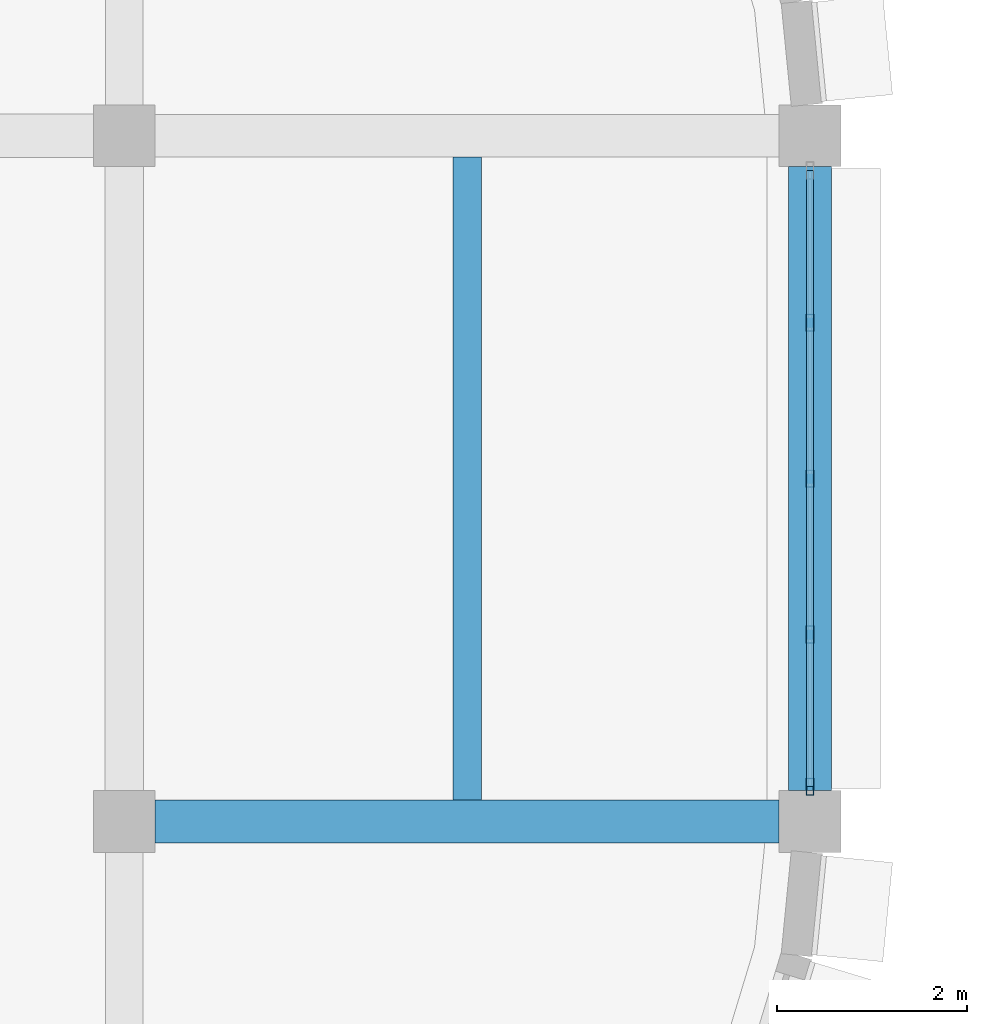
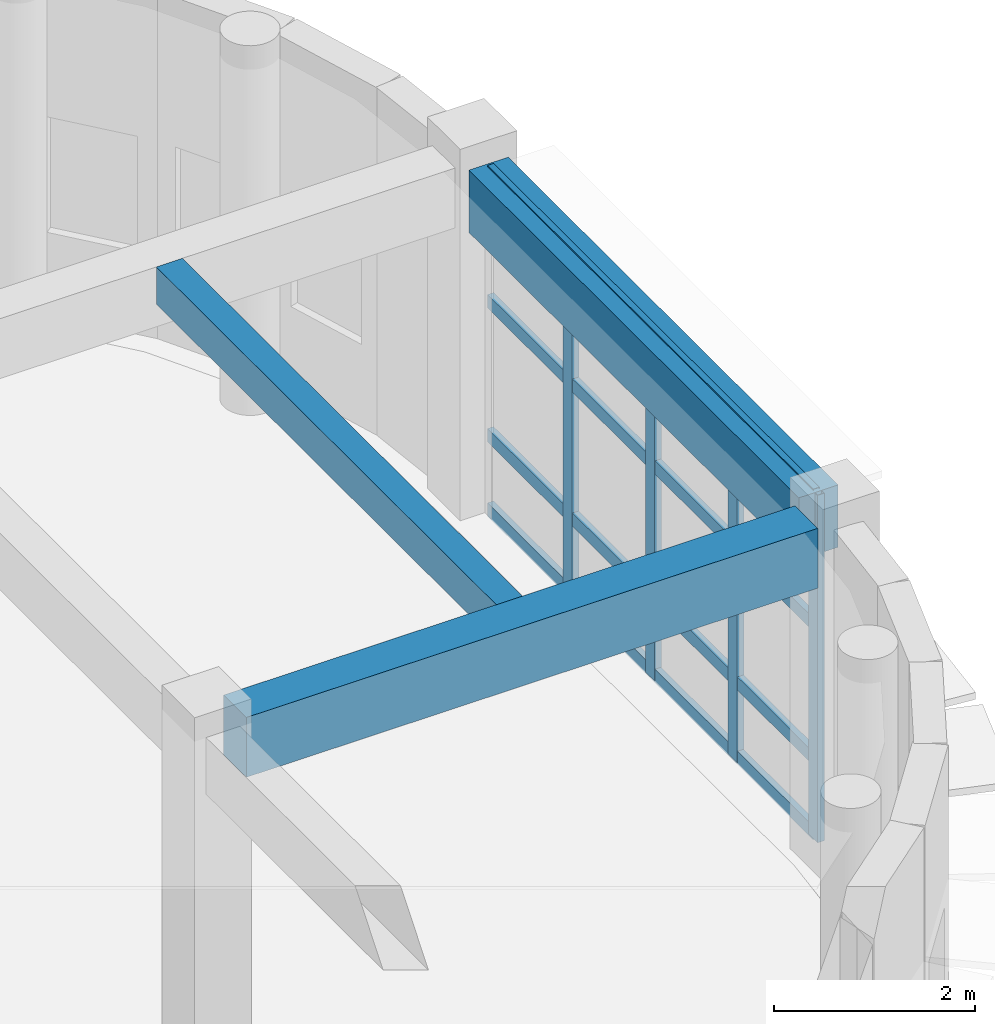
# One storey, part 40 of 171: 8 members, 3 beams, 1 element without a shape of its own.
"""IFC4 building model written with IfcOpenShell, lengths in metres."""

import ifcopenshell
import ifcopenshell.guid

model = None  # the IFC model being written
_history = None  # IfcOwnerHistory: only IFC2X3 demands one
_inside = {}  # id of a spatial element -> (the spatial element, [elements in it])
_under = {}  # id of a project, library or spatial element -> (it, [spatial elements below it])
_declared = {}  # id of a project -> (the project, [libraries it declares])
_typed = {}  # id of a type object -> (the type object, [elements of that type])
_made_of = {}  # id of a material, layer set ... -> (it, [elements and type objects made of it])


def new_model(schema):
    """Start an empty IFC model of exactly this schema.

    Asked for "IFC4X3", IfcOpenShell would pick the latest addendum, in which some entities
    have other attributes; the version numbers below select the first issue.
    IFC2X3 requires an IfcOwnerHistory on every rooted entity: one is made here for all.
    """
    global model, _history
    if schema == "IFC4X3":
        model = ifcopenshell.file(schema_version=(4, 3, 0, 0))
    else:
        model = ifcopenshell.file(schema=schema)
    _inside.clear()
    _under.clear()
    _declared.clear()
    _typed.clear()
    _made_of.clear()
    _history = None
    if model.schema == "IFC2X3":
        org = make("IfcOrganization", Name="unknown")
        user = make(
            "IfcPersonAndOrganization",
            ThePerson=make("IfcPerson", FamilyName="unknown"),
            TheOrganization=org,
        )
        app = make(
            "IfcApplication",
            ApplicationDeveloper=org,
            Version="unknown",
            ApplicationFullName="unknown",
            ApplicationIdentifier="unknown",
        )
        _history = make(
            "IfcOwnerHistory",
            OwningUser=user,
            OwningApplication=app,
            ChangeAction="ADDED",
            CreationDate=0,
        )
    return model


def make(cls, **values):
    """One entity of the class cls with the attributes given. An attribute that is None is left unset."""
    return model.create_entity(
        cls, **{name: value for name, value in values.items() if value is not None}
    )


def rooted(cls, **values):
    """An entity with a GlobalId (a new one), such as an element, a storey or a relation."""
    return make(cls, GlobalId=ifcopenshell.guid.new(), OwnerHistory=_history, **values)


def si_unit(unit_type, name, prefix=None):
    """IfcSIUnit, for example si_unit("LENGTHUNIT", "METRE", prefix="MILLI")."""
    return make("IfcSIUnit", UnitType=unit_type, Prefix=prefix, Name=name)


def assignment(units):
    """IfcUnitAssignment: the units of a project."""
    return None if units is None else make("IfcUnitAssignment", Units=units)


def point(xyz):
    """IfcCartesianPoint."""
    return None if xyz is None else make("IfcCartesianPoint", Coordinates=xyz)


def direction(xyz):
    """IfcDirection."""
    return None if xyz is None else make("IfcDirection", DirectionRatios=xyz)


def frame(location, z_axis=None, x_axis=None):
    """IfcAxis2Placement3D, a coordinate frame: its origin and axes. An axis left out is left unset."""
    return make(
        "IfcAxis2Placement3D",
        Location=point(location),
        Axis=direction(z_axis),
        RefDirection=direction(x_axis),
    )


def frame_2d(location, x_axis=None):
    """IfcAxis2Placement2D, a coordinate frame in the plane: its origin and x axis."""
    return make(
        "IfcAxis2Placement2D", Location=point(location), RefDirection=direction(x_axis)
    )


def origin():
    """The frame at (0, 0, 0) with its axes left unset."""
    return frame((0.0, 0.0, 0.0))


def origin_2d():
    """The frame at (0, 0) in the plane with its x axis left unset."""
    return frame_2d((0.0, 0.0))


def place(relative_to, where):
    """IfcLocalPlacement: puts the frame where relative to a parent placement (None: the world)."""
    return make(
        "IfcLocalPlacement", PlacementRelTo=relative_to, RelativePlacement=where
    )


def context(
    kind, dimensions, precision=None, world=None, true_north=None, identifier=None
):
    """IfcGeometricRepresentationContext, for example the 3D "Model" context."""
    return make(
        "IfcGeometricRepresentationContext",
        ContextIdentifier=identifier,
        ContextType=kind,
        CoordinateSpaceDimension=dimensions,
        Precision=precision,
        WorldCoordinateSystem=world,
        TrueNorth=true_north,
    )


def subcontext(parent, identifier, kind, view, scale=None):
    """IfcGeometricRepresentationSubContext, for example "Body" below "Model"."""
    return make(
        "IfcGeometricRepresentationSubContext",
        ContextIdentifier=identifier,
        ContextType=kind,
        ParentContext=parent,
        TargetScale=scale,
        TargetView=view,
    )


def project(units=None, contexts=None):
    """IfcProject with its units and contexts."""
    return rooted(
        "IfcProject",
        Name="project",
        RepresentationContexts=contexts,
        UnitsInContext=assignment(units),
    )


def spatial(cls, under=None, at=None, **own):
    """A site, building, storey or space (cls), placed at a placement, below another one or the project."""
    s = rooted(cls, ObjectPlacement=at, **own)
    if under is not None:
        _under.setdefault(under.id(), (under, []))[1].append(s)
    return s


def profile(cls, at=None, kind="AREA", **sizes):
    """A parametric profile (cls). Its sizes go by their IFC names, for example OverallWidth=200.0."""
    return make(cls, ProfileType=kind, Position=at, **sizes)


def rectangle(**sizes):
    """IfcRectangleProfileDef."""
    return profile("IfcRectangleProfileDef", **sizes)


def hollow_rectangle(**sizes):
    """IfcRectangleHollowProfileDef."""
    return profile("IfcRectangleHollowProfileDef", **sizes)


def extrude(swept, where, along, depth):
    """IfcExtrudedAreaSolid: the profile swept, set in the frame where, extruded along a direction by depth."""
    return make(
        "IfcExtrudedAreaSolid",
        SweptArea=swept,
        Position=where,
        ExtrudedDirection=direction(along),
        Depth=depth,
    )


def shape(context_of_items, identifier, shape_type, items):
    """IfcShapeRepresentation: the items that make up one representation, for example the "Body"."""
    return make(
        "IfcShapeRepresentation",
        ContextOfItems=context_of_items,
        RepresentationIdentifier=identifier,
        RepresentationType=shape_type,
        Items=items,
    )


def material(Name=None, Category=None):
    """IfcMaterial."""
    return make("IfcMaterial", Name=Name, Category=Category)


def material_profile(
    of_material, cross_section, Name=None, Category=None, Priority=None
):
    """IfcMaterialProfile: a cross section and its material."""
    return make(
        "IfcMaterialProfile",
        Name=Name,
        Material=of_material,
        Profile=cross_section,
        Priority=Priority,
        Category=Category,
    )


def profile_set(profiles, Name=None, composite=None):
    """IfcMaterialProfileSet."""
    return make(
        "IfcMaterialProfileSet",
        Name=Name,
        MaterialProfiles=profiles,
        CompositeProfile=composite,
    )


def made_of(thing, what):
    """Note that an element or type object is made of a material, layer set ...; save() writes the relation."""
    if what is not None:
        _made_of.setdefault(what.id(), (what, []))[1].append(thing)
    return thing


def type_object(cls, material=None, **own):
    """A type object (cls), such as IfcWallType, which elements share."""
    return made_of(rooted(cls, **own), material)


def element(
    cls,
    number,
    at=None,
    inside=None,
    cuts=None,
    type_object=None,
    material=None,
    context=None,
    identifier="Body",
    shape_type=None,
    held_by="IfcProductDefinitionShape",
    body=None,
    shapes=None,
    **own,
):
    """One element of the class cls, such as IfcWall. Its Tag is "e" and its number.

    at: its placement. inside: the storey or other place that contains it. cuts: it is an
    opening in that element (IfcRelVoidsElement). A single representation is given by context,
    identifier, shape_type and body (its items); several are given by shapes. held_by: the class
    of the entity that holds the representations. save() writes the other relations.
    """
    e = rooted(cls, Tag="e%d" % number, ObjectPlacement=at, **own)
    if body is not None:
        shapes = [shape(context, identifier, shape_type, body)]
    if shapes is not None:
        e.Representation = make(held_by, Representations=shapes)
    if inside is not None:
        _inside.setdefault(inside.id(), (inside, []))[1].append(e)
    if cuts is not None:
        rooted(
            "IfcRelVoidsElement", RelatingBuildingElement=cuts, RelatedOpeningElement=e
        )
    if type_object is not None:
        _typed.setdefault(type_object.id(), (type_object, []))[1].append(e)
    return made_of(e, material)


def aggregate(whole, parts):
    """IfcRelAggregates: a whole, such as a stair, and the parts it consists of."""
    return rooted("IfcRelAggregates", RelatingObject=whole, RelatedObjects=parts)


def save(model, path):
    """Write the relations noted so far, then the file.

    IfcRelAggregates (storeys below a building ...), IfcRelContainedInSpatialStructure (elements
    in a storey), IfcRelDefinesByType, IfcRelAssociatesMaterial and IfcRelDeclares: one each for
    every whole, place, type object, material and project.
    """
    for whole, parts in _under.values():
        aggregate(whole, parts)
    for where, things in _inside.values():
        rooted(
            "IfcRelContainedInSpatialStructure",
            RelatedElements=things,
            RelatingStructure=where,
        )
    for kind, things in _typed.values():
        rooted("IfcRelDefinesByType", RelatedObjects=things, RelatingType=kind)
    for what, things in _made_of.values():
        rooted("IfcRelAssociatesMaterial", RelatedObjects=things, RelatingMaterial=what)
    for by, libraries in _declared.values():
        rooted("IfcRelDeclares", RelatingContext=by, RelatedDefinitions=libraries)
    model.write(path)


model = new_model("IFC4")

# Units and contexts
model_context = context("Model", 3, precision=1e-05, world=origin(), true_north=direction((0.0, 1.0)))
body_context = subcontext(model_context, "Body", "Model", "MODEL_VIEW")
ifc_project = project(units=[si_unit("LENGTHUNIT", "METRE"), si_unit("AREAUNIT", "SQUARE_METRE"), si_unit("VOLUMEUNIT", "CUBIC_METRE"), si_unit("PLANEANGLEUNIT", "RADIAN"), si_unit("MASSUNIT", "GRAM", prefix="KILO")], contexts=[model_context])

# Site, building, storey
site_placement = place(None, origin())
site = spatial("IfcSite", under=ifc_project, at=site_placement, CompositionType="ELEMENT")
building_placement = place(site_placement, origin())
building = spatial("IfcBuilding", under=site, at=building_placement, Name="Thalmaran Polytechnic", CompositionType="ELEMENT")
storey_placement = place(building_placement, frame((0.0, 0.0, 5.39990234375)))
storey = spatial("IfcBuildingStorey", under=building, at=storey_placement, Name="L01", CompositionType="ELEMENT", Elevation=5.39990234375)

# Beams
ifc_material_1 = material(Name="Concrete C40/50", Category="concrete")
ifc_material_profile_1 = material_profile(ifc_material_1, rectangle(XDim=0.449951171875, YDim=0.72509765625, at=origin_2d()), Name="RC 450x725")
ifc_profile_set_1 = profile_set([ifc_material_profile_1], Name="Concrete C40/50")
beam_type_1 = type_object("IfcBeamType", Name="BM-RC04", PredefinedType="BEAM", material=ifc_profile_set_1)
beam_1_placement = place(storey_placement, frame((86.72509765625, 57.60009765625, 3.8525390625), z_axis=(1.0, 0.0, 0.0), x_axis=(0.0, 1.0, 0.0)))
element("IfcBeam", 1, at=beam_1_placement, inside=storey, type_object=beam_type_1, Name="Grid Beam B04 L01 X(12,8)", PredefinedType="BEAM", context=body_context, shape_type="SweptSolid", body=[
    extrude(rectangle(XDim=0.449951171875, YDim=0.72509765625, at=origin_2d()), origin(), (0.0, 0.0, 1.0), 6.5498046875),
])
ifc_material_profile_2 = material_profile(ifc_material_1, rectangle(XDim=0.300048828125, YDim=0.449951171875, at=origin_2d()), Name="RC 300x450")
ifc_profile_set_2 = profile_set([ifc_material_profile_2], Name="Concrete C40/50")
beam_type_2 = type_object("IfcBeamType", Name="BM-RC12", PredefinedType="JOIST", material=ifc_profile_set_2)
beam_2_placement = place(storey_placement, frame((90.0, 57.824951171875, 3.989990234375), z_axis=(0.0, 1.0, 0.0), x_axis=(-1.0, 0.0, 0.0)))
element("IfcBeam", 2, at=beam_2_placement, inside=storey, type_object=beam_type_2, Name="Secondary Floor Rib RB02 L01 (12,8)", PredefinedType="JOIST", context=body_context, shape_type="SweptSolid", body=[
    extrude(rectangle(XDim=0.300048828125, YDim=0.449951171875, at=origin_2d()), origin(), (0.0, 0.0, 1.0), 6.75),
])
ifc_material_profile_3 = material_profile(ifc_material_1, rectangle(XDim=0.449951171875, YDim=0.7548828125, at=origin_2d()), Name="RC 450x755")
ifc_profile_set_3 = profile_set([ifc_material_profile_3], Name="Concrete C40/50")
beam_type_3 = type_object("IfcBeamType", Name="BM-SP02", PredefinedType="SPANDREL", material=ifc_profile_set_3)
beam_3_placement = place(storey_placement, frame((93.60009765625, 57.925048828125, 3.837646484375), z_axis=(0.0, 1.0, 0.0), x_axis=(-1.0, 0.0, 0.0)))
element("IfcBeam", 3, at=beam_3_placement, inside=storey, type_object=beam_type_3, Name="Grid Beam SP02 L01 Y(13,8)", PredefinedType="SPANDREL", context=body_context, shape_type="SweptSolid", body=[
    extrude(rectangle(XDim=0.449951171875, YDim=0.7548828125, at=origin_2d()), origin(), (0.0, 0.0, 1.0), 6.550048828125),
])

# Curtain wall, members
ifc_material_2 = material(Name="Aluminium 6063-T6", Category="aluminium")
curtain_wall_type = type_object("IfcCurtainWallType", Name="CW-SC01", PredefinedType="USERDEFINED", material=ifc_material_2)
curtain_wall_placement = place(storey_placement, origin())
curtain_wall = element("IfcCurtainWall", 4, at=curtain_wall_placement, inside=storey, type_object=curtain_wall_type, Name="Curtain Wall CW-L01-148", ObjectType="STICK CURTAIN WALL", PredefinedType="USERDEFINED")
ifc_material_profile_4 = material_profile(ifc_material_2, hollow_rectangle(XDim=0.080078125, YDim=0.179931640625, WallThickness=0.0048828125, at=origin_2d()), Name="RHS 180x80x5.0")
ifc_profile_set_4 = profile_set([ifc_material_profile_4], Name="Aluminium 6063-T6")
member_type_1 = type_object("IfcMemberType", Name="CW-MUL1", PredefinedType="MULLION", material=ifc_profile_set_4)
member_1_placement = place(storey_placement, frame((93.60009765625, 62.83740234375, 0.0), z_axis=(0.0, 0.0, 1.0), x_axis=(1.0, 0.0, 0.0)))
member_1 = element("IfcMember", 5, at=member_1_placement, type_object=member_type_1, Name="CW-L01-148 Mullion 2", PredefinedType="MULLION", context=body_context, shape_type="SweptSolid", body=[
    extrude(hollow_rectangle(XDim=0.080078125, YDim=0.179931640625, WallThickness=0.0048828125, at=origin_2d()), origin(), (0.0, 0.0, 1.0), 4.210205078125),
])
member_2_placement = place(storey_placement, frame((93.60009765625, 61.199951171875, 0.0), z_axis=(0.0, 0.0, 1.0), x_axis=(1.0, 0.0, 0.0)))
member_2 = element("IfcMember", 6, at=member_2_placement, type_object=member_type_1, Name="CW-L01-148 Mullion 3", PredefinedType="MULLION", context=body_context, shape_type="SweptSolid", body=[
    extrude(hollow_rectangle(XDim=0.080078125, YDim=0.179931640625, WallThickness=0.0048828125, at=origin_2d()), origin(), (0.0, 0.0, 1.0), 4.210205078125),
])
member_3_placement = place(storey_placement, frame((93.60009765625, 59.5625, 0.0), z_axis=(0.0, 0.0, 1.0), x_axis=(1.0, 0.0, 0.0)))
member_3 = element("IfcMember", 7, at=member_3_placement, type_object=member_type_1, Name="CW-L01-148 Mullion 4", PredefinedType="MULLION", context=body_context, shape_type="SweptSolid", body=[
    extrude(hollow_rectangle(XDim=0.080078125, YDim=0.179931640625, WallThickness=0.0048828125, at=origin_2d()), origin(), (0.0, 0.0, 1.0), 4.210205078125),
])
member_4_placement = place(storey_placement, frame((93.60009765625, 57.965087890625, 0.0), z_axis=(0.0, 0.0, 1.0), x_axis=(1.0, 0.0, 0.0)))
member_4 = element("IfcMember", 8, at=member_4_placement, type_object=member_type_1, Name="CW-L01-148 Mullion 5", PredefinedType="MULLION", context=body_context, shape_type="SweptSolid", body=[
    extrude(hollow_rectangle(XDim=0.080078125, YDim=0.179931640625, WallThickness=0.0048828125, at=origin_2d()), origin(), (0.0, 0.0, 1.0), 4.210205078125),
])
ifc_material_profile_5 = material_profile(ifc_material_2, hollow_rectangle(XDim=0.070068359375, YDim=0.159912109375, WallThickness=0.00390625, at=origin_2d()), Name="AL 160x70x4.0")
ifc_profile_set_5 = profile_set([ifc_material_profile_5], Name="Aluminium 6063-T6")
member_type_2 = type_object("IfcMemberType", Name="CW-TRN1", PredefinedType="USERDEFINED", material=ifc_profile_set_5)
member_5_placement = place(storey_placement, frame((93.60009765625, 64.43505859375, 0.06005859375), z_axis=(0.0, -1.0, 0.0), x_axis=(1.0, 0.0, 0.0)))
member_5 = element("IfcMember", 9, at=member_5_placement, type_object=member_type_2, Name="CW-L01-148 Transom 1", ObjectType="TRANSOM", PredefinedType="USERDEFINED", context=body_context, shape_type="SweptSolid", body=[
    extrude(hollow_rectangle(XDim=0.070068359375, YDim=0.159912109375, WallThickness=0.00390625, at=origin_2d()), origin(), (0.0, 0.0, 1.0), 6.469970703125),
])
member_6_placement = place(storey_placement, frame((93.60009765625, 64.43505859375, 0.960205078125), z_axis=(0.0, -1.0, 0.0), x_axis=(1.0, 0.0, 0.0)))
member_6 = element("IfcMember", 10, at=member_6_placement, type_object=member_type_2, Name="CW-L01-148 Transom 2", ObjectType="TRANSOM", PredefinedType="USERDEFINED", context=body_context, shape_type="SweptSolid", body=[
    extrude(hollow_rectangle(XDim=0.070068359375, YDim=0.159912109375, WallThickness=0.00390625, at=origin_2d()), origin(), (0.0, 0.0, 1.0), 6.469970703125),
])
member_7_placement = place(storey_placement, frame((93.60009765625, 64.43505859375, 2.585205078125), z_axis=(0.0, -1.0, 0.0), x_axis=(1.0, 0.0, 0.0)))
member_7 = element("IfcMember", 11, at=member_7_placement, type_object=member_type_2, Name="CW-L01-148 Transom 3", ObjectType="TRANSOM", PredefinedType="USERDEFINED", context=body_context, shape_type="SweptSolid", body=[
    extrude(hollow_rectangle(XDim=0.070068359375, YDim=0.159912109375, WallThickness=0.00390625, at=origin_2d()), origin(), (0.0, 0.0, 1.0), 6.469970703125),
])
member_8_placement = place(storey_placement, frame((93.60009765625, 64.43505859375, 4.150146484375), z_axis=(0.0, -1.0, 0.0), x_axis=(1.0, 0.0, 0.0)))
member_8 = element("IfcMember", 12, at=member_8_placement, type_object=member_type_2, Name="CW-L01-148 Transom 4", ObjectType="TRANSOM", PredefinedType="USERDEFINED", context=body_context, shape_type="SweptSolid", body=[
    extrude(hollow_rectangle(XDim=0.070068359375, YDim=0.159912109375, WallThickness=0.00390625, at=origin_2d()), origin(), (0.0, 0.0, 1.0), 6.469970703125),
])
aggregate(curtain_wall, [member_1, member_2, member_3, member_4, member_5, member_6, member_7, member_8])

save(model, "model.ifc")
